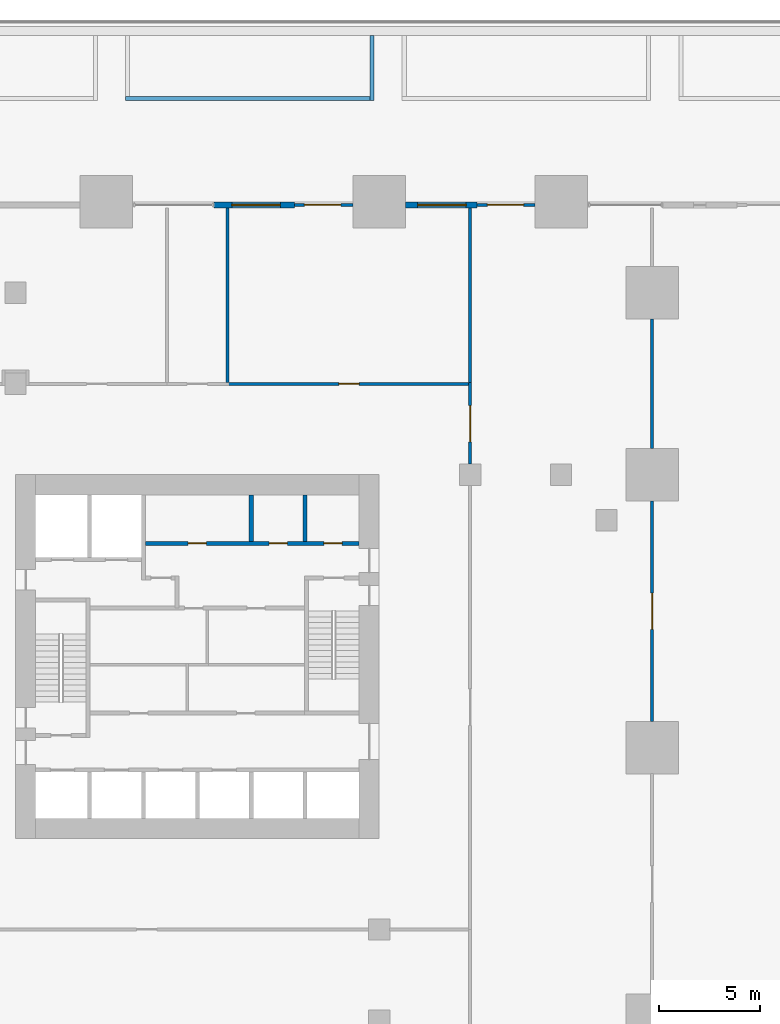
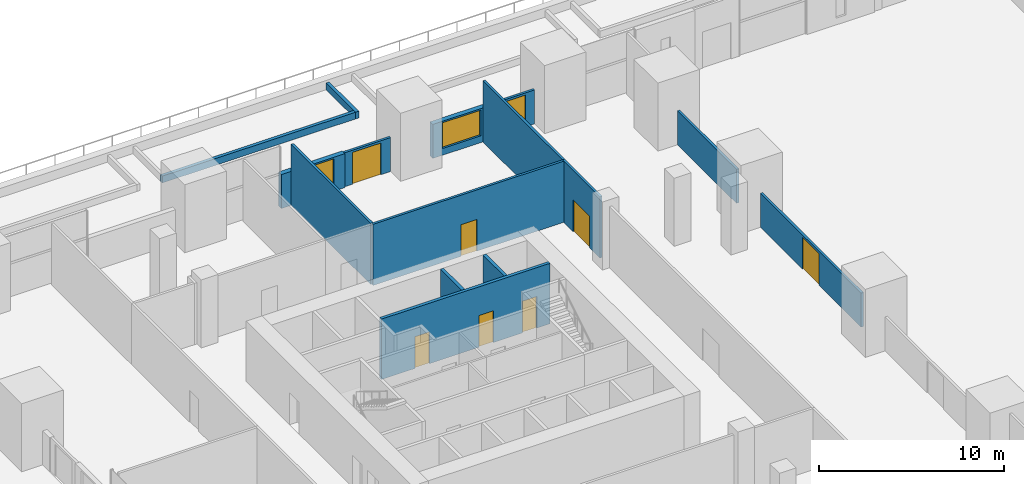
# One storey, part 18 of 26: 15 walls, 8 doors, 2 windows, 10 openings.
"""IFC4 building model written with IfcOpenShell, lengths in metres."""

import ifcopenshell
import ifcopenshell.guid

model = None  # the IFC model being written
_history = None  # IfcOwnerHistory: only IFC2X3 demands one
_inside = {}  # id of a spatial element -> (the spatial element, [elements in it])
_under = {}  # id of a project, library or spatial element -> (it, [spatial elements below it])
_declared = {}  # id of a project -> (the project, [libraries it declares])
_typed = {}  # id of a type object -> (the type object, [elements of that type])
_made_of = {}  # id of a material, layer set ... -> (it, [elements and type objects made of it])


def new_model(schema):
    """Start an empty IFC model of exactly this schema.

    Asked for "IFC4X3", IfcOpenShell would pick the latest addendum, in which some entities
    have other attributes; the version numbers below select the first issue.
    IFC2X3 requires an IfcOwnerHistory on every rooted entity: one is made here for all.
    """
    global model, _history
    if schema == "IFC4X3":
        model = ifcopenshell.file(schema_version=(4, 3, 0, 0))
    else:
        model = ifcopenshell.file(schema=schema)
    _inside.clear()
    _under.clear()
    _declared.clear()
    _typed.clear()
    _made_of.clear()
    _history = None
    if model.schema == "IFC2X3":
        org = make("IfcOrganization", Name="unknown")
        user = make(
            "IfcPersonAndOrganization",
            ThePerson=make("IfcPerson", FamilyName="unknown"),
            TheOrganization=org,
        )
        app = make(
            "IfcApplication",
            ApplicationDeveloper=org,
            Version="unknown",
            ApplicationFullName="unknown",
            ApplicationIdentifier="unknown",
        )
        _history = make(
            "IfcOwnerHistory",
            OwningUser=user,
            OwningApplication=app,
            ChangeAction="ADDED",
            CreationDate=0,
        )
    return model


def make(cls, **values):
    """One entity of the class cls with the attributes given. An attribute that is None is left unset."""
    return model.create_entity(
        cls, **{name: value for name, value in values.items() if value is not None}
    )


def rooted(cls, **values):
    """An entity with a GlobalId (a new one), such as an element, a storey or a relation."""
    return make(cls, GlobalId=ifcopenshell.guid.new(), OwnerHistory=_history, **values)


def si_unit(unit_type, name, prefix=None):
    """IfcSIUnit, for example si_unit("LENGTHUNIT", "METRE", prefix="MILLI")."""
    return make("IfcSIUnit", UnitType=unit_type, Prefix=prefix, Name=name)


def assignment(units):
    """IfcUnitAssignment: the units of a project."""
    return None if units is None else make("IfcUnitAssignment", Units=units)


def point(xyz):
    """IfcCartesianPoint."""
    return None if xyz is None else make("IfcCartesianPoint", Coordinates=xyz)


def direction(xyz):
    """IfcDirection."""
    return None if xyz is None else make("IfcDirection", DirectionRatios=xyz)


def frame(location, z_axis=None, x_axis=None):
    """IfcAxis2Placement3D, a coordinate frame: its origin and axes. An axis left out is left unset."""
    return make(
        "IfcAxis2Placement3D",
        Location=point(location),
        Axis=direction(z_axis),
        RefDirection=direction(x_axis),
    )


def frame_2d(location, x_axis=None):
    """IfcAxis2Placement2D, a coordinate frame in the plane: its origin and x axis."""
    return make(
        "IfcAxis2Placement2D", Location=point(location), RefDirection=direction(x_axis)
    )


def origin():
    """The frame at (0, 0, 0) with its axes left unset."""
    return frame((0.0, 0.0, 0.0))


def place(relative_to, where):
    """IfcLocalPlacement: puts the frame where relative to a parent placement (None: the world)."""
    return make(
        "IfcLocalPlacement", PlacementRelTo=relative_to, RelativePlacement=where
    )


def context(
    kind, dimensions, precision=None, world=None, true_north=None, identifier=None
):
    """IfcGeometricRepresentationContext, for example the 3D "Model" context."""
    return make(
        "IfcGeometricRepresentationContext",
        ContextIdentifier=identifier,
        ContextType=kind,
        CoordinateSpaceDimension=dimensions,
        Precision=precision,
        WorldCoordinateSystem=world,
        TrueNorth=true_north,
    )


def subcontext(parent, identifier, kind, view, scale=None):
    """IfcGeometricRepresentationSubContext, for example "Body" below "Model"."""
    return make(
        "IfcGeometricRepresentationSubContext",
        ContextIdentifier=identifier,
        ContextType=kind,
        ParentContext=parent,
        TargetScale=scale,
        TargetView=view,
    )


def project(units=None, contexts=None):
    """IfcProject with its units and contexts."""
    return rooted(
        "IfcProject",
        Name="project",
        RepresentationContexts=contexts,
        UnitsInContext=assignment(units),
    )


def spatial(cls, under=None, at=None, **own):
    """A site, building, storey or space (cls), placed at a placement, below another one or the project."""
    s = rooted(cls, ObjectPlacement=at, **own)
    if under is not None:
        _under.setdefault(under.id(), (under, []))[1].append(s)
    return s


def profile(cls, at=None, kind="AREA", **sizes):
    """A parametric profile (cls). Its sizes go by their IFC names, for example OverallWidth=200.0."""
    return make(cls, ProfileType=kind, Position=at, **sizes)


def rectangle(**sizes):
    """IfcRectangleProfileDef."""
    return profile("IfcRectangleProfileDef", **sizes)


def extrude(swept, where, along, depth):
    """IfcExtrudedAreaSolid: the profile swept, set in the frame where, extruded along a direction by depth."""
    return make(
        "IfcExtrudedAreaSolid",
        SweptArea=swept,
        Position=where,
        ExtrudedDirection=direction(along),
        Depth=depth,
    )


def shape(context_of_items, identifier, shape_type, items):
    """IfcShapeRepresentation: the items that make up one representation, for example the "Body"."""
    return make(
        "IfcShapeRepresentation",
        ContextOfItems=context_of_items,
        RepresentationIdentifier=identifier,
        RepresentationType=shape_type,
        Items=items,
    )


def material(Name=None, Category=None):
    """IfcMaterial."""
    return make("IfcMaterial", Name=Name, Category=Category)


def layer(
    of_material, thickness, ventilated=None, Name=None, Category=None, Priority=None
):
    """IfcMaterialLayer: one layer of a wall or slab, of a material (None: an air gap)."""
    return make(
        "IfcMaterialLayer",
        Material=of_material,
        LayerThickness=thickness,
        IsVentilated=ventilated,
        Name=Name,
        Category=Category,
        Priority=Priority,
    )


def layer_set(layers, Name=None):
    """IfcMaterialLayerSet."""
    return make("IfcMaterialLayerSet", MaterialLayers=layers, LayerSetName=Name)


def made_of(thing, what):
    """Note that an element or type object is made of a material, layer set ...; save() writes the relation."""
    if what is not None:
        _made_of.setdefault(what.id(), (what, []))[1].append(thing)
    return thing


def type_object(cls, material=None, **own):
    """A type object (cls), such as IfcWallType, which elements share."""
    return made_of(rooted(cls, **own), material)


def element(
    cls,
    number,
    at=None,
    inside=None,
    cuts=None,
    type_object=None,
    material=None,
    context=None,
    identifier="Body",
    shape_type=None,
    held_by="IfcProductDefinitionShape",
    body=None,
    shapes=None,
    **own,
):
    """One element of the class cls, such as IfcWall. Its Tag is "e" and its number.

    at: its placement. inside: the storey or other place that contains it. cuts: it is an
    opening in that element (IfcRelVoidsElement). A single representation is given by context,
    identifier, shape_type and body (its items); several are given by shapes. held_by: the class
    of the entity that holds the representations. save() writes the other relations.
    """
    e = rooted(cls, Tag="e%d" % number, ObjectPlacement=at, **own)
    if body is not None:
        shapes = [shape(context, identifier, shape_type, body)]
    if shapes is not None:
        e.Representation = make(held_by, Representations=shapes)
    if inside is not None:
        _inside.setdefault(inside.id(), (inside, []))[1].append(e)
    if cuts is not None:
        rooted(
            "IfcRelVoidsElement", RelatingBuildingElement=cuts, RelatedOpeningElement=e
        )
    if type_object is not None:
        _typed.setdefault(type_object.id(), (type_object, []))[1].append(e)
    return made_of(e, material)


def fill(opening, filler):
    """IfcRelFillsElement: the door or window that sits in an opening."""
    return rooted(
        "IfcRelFillsElement",
        RelatingOpeningElement=opening,
        RelatedBuildingElement=filler,
    )


def aggregate(whole, parts):
    """IfcRelAggregates: a whole, such as a stair, and the parts it consists of."""
    return rooted("IfcRelAggregates", RelatingObject=whole, RelatedObjects=parts)


def save(model, path):
    """Write the relations noted so far, then the file.

    IfcRelAggregates (storeys below a building ...), IfcRelContainedInSpatialStructure (elements
    in a storey), IfcRelDefinesByType, IfcRelAssociatesMaterial and IfcRelDeclares: one each for
    every whole, place, type object, material and project.
    """
    for whole, parts in _under.values():
        aggregate(whole, parts)
    for where, things in _inside.values():
        rooted(
            "IfcRelContainedInSpatialStructure",
            RelatedElements=things,
            RelatingStructure=where,
        )
    for kind, things in _typed.values():
        rooted("IfcRelDefinesByType", RelatedObjects=things, RelatingType=kind)
    for what, things in _made_of.values():
        rooted("IfcRelAssociatesMaterial", RelatedObjects=things, RelatingMaterial=what)
    for by, libraries in _declared.values():
        rooted("IfcRelDeclares", RelatingContext=by, RelatedDefinitions=libraries)
    model.write(path)


model = new_model("IFC4")

# Units and contexts
model_context = context("Model", 3, precision=1e-05, world=origin(), true_north=direction((0.0, 1.0)))
body_context = subcontext(model_context, "Body", "Model", "MODEL_VIEW")
ifc_project = project(units=[si_unit("LENGTHUNIT", "METRE"), si_unit("AREAUNIT", "SQUARE_METRE"), si_unit("VOLUMEUNIT", "CUBIC_METRE"), si_unit("PLANEANGLEUNIT", "RADIAN"), si_unit("MASSUNIT", "GRAM", prefix="KILO")], contexts=[model_context])

# Site, building, storey
site_placement = place(None, origin())
site = spatial("IfcSite", under=ifc_project, at=site_placement, CompositionType="ELEMENT")
building_placement = place(site_placement, origin())
building = spatial("IfcBuilding", under=site, at=building_placement, Name="Altepetl Exchange Towers", CompositionType="ELEMENT")
storey_placement = place(building_placement, frame((0.0, 0.0, 16.5)))
storey = spatial("IfcBuildingStorey", under=building, at=storey_placement, Name="L03 Podium terrace", CompositionType="ELEMENT", Elevation=16.5)

# Wall, opening, door
ifc_material_1 = material(Name="Aluminium composite cladding", Category="aluminium")
ifc_layer_1 = layer(ifc_material_1, 0.14990234375)
ifc_layer_set_1 = layer_set([ifc_layer_1], Name="Aluminium composite cladding")
wall_type_1 = type_object("IfcWallType", Name="Infill wall 150 aluminium panel", PredefinedType="SOLIDWALL", material=ifc_layer_set_1)
wall_1_placement = place(storey_placement, frame((66.199951171875, 71.85009765625, 0.0), z_axis=(0.0, 0.0, 1.0), x_axis=(-1.0, 0.0, 0.0)))
wall_1 = element("IfcWall", 1, at=wall_1_placement, inside=storey, type_object=wall_type_1, Name="Door bay wall", PredefinedType="SOLIDWALL", context=body_context, shape_type="SweptSolid", body=[
    extrude(rectangle(XDim=2.849853515625, YDim=0.14990234375, at=frame_2d((1.4248046875, 0.0))), origin(), (0.0, 0.0, 1.0), 2.25),
])
opening_1_placement = place(wall_1_placement, frame((0.550048828125, 0.0, 0.0)))
opening_1 = element("IfcOpeningElement", 2, at=opening_1_placement, cuts=wall_1, Name="Opening L03.E03", PredefinedType="OPENING", context=body_context, shape_type="SweptSolid", body=[
    extrude(rectangle(XDim=1.800048828125, YDim=2.10009765625, at=frame_2d((0.89990234375, 1.050048828125))), frame((0.0, 0.0849609375, 0.0), z_axis=(0.0, -1.0, 0.0), x_axis=(1.0, 0.0, 0.0)), (0.0, 0.0, 1.0), 0.169921875),
])
ifc_material_2 = material(Name="Aluminium 6063-T6 and glass", Category="aluminium")
door_type_1 = type_object("IfcDoorType", Name="Glazed door pair 1800x2100", OperationType="DOUBLE_DOOR_DOUBLE_SWING", PredefinedType="NOTDEFINED", material=ifc_material_2)
door_1_placement = place(opening_1_placement, frame((1.800048828125, 0.0, 0.0), x_axis=(-1.0, 0.0, 0.0)))
door_1 = element("IfcDoor", 3, at=door_1_placement, inside=storey, type_object=door_type_1, Name="Terrace door", OperationType="DOUBLE_DOOR_DOUBLE_SWING", OverallHeight=2.10009765625, OverallWidth=1.800048828125, PredefinedType="NOTDEFINED", context=body_context, shape_type="SweptSolid", body=[
    extrude(rectangle(XDim=1.800048828125, YDim=2.10009765625, at=frame_2d((0.89990234375, 1.050048828125))), frame((0.0, 0.02490234375, 0.0), z_axis=(0.0, -1.0, 0.0), x_axis=(1.0, 0.0, 0.0)), (0.0, 0.0, 1.0), 0.050048828125),
])
fill(opening_1, door_1)

wall_2_placement = place(storey_placement, frame((57.199951171875, 71.85009765625, 0.0), z_axis=(0.0, 0.0, 1.0), x_axis=(-1.0, 0.0, 0.0)))
wall_2 = element("IfcWall", 4, at=wall_2_placement, inside=storey, type_object=wall_type_1, Name="Door bay wall", PredefinedType="SOLIDWALL", context=body_context, shape_type="SweptSolid", body=[
    extrude(rectangle(XDim=2.89990234375, YDim=0.14990234375, at=frame_2d((1.449951171875, 0.0))), origin(), (0.0, 0.0, 1.0), 2.25),
])
opening_2_placement = place(wall_2_placement, frame((0.60009765625, 0.0, 0.0)))
opening_2 = element("IfcOpeningElement", 5, at=opening_2_placement, cuts=wall_2, Name="Opening L03.E10", PredefinedType="OPENING", context=body_context, shape_type="SweptSolid", body=[
    extrude(rectangle(XDim=1.800048828125, YDim=2.10009765625, at=frame_2d((0.89990234375, 1.050048828125))), frame((0.0, 0.0849609375, 0.0), z_axis=(0.0, -1.0, 0.0), x_axis=(1.0, 0.0, 0.0)), (0.0, 0.0, 1.0), 0.169921875),
])
door_2_placement = place(opening_2_placement, frame((1.800048828125, 0.0, 0.0), x_axis=(-1.0, 0.0, 0.0)))
door_2 = element("IfcDoor", 6, at=door_2_placement, inside=storey, type_object=door_type_1, Name="Terrace door", OperationType="DOUBLE_DOOR_DOUBLE_SWING", OverallHeight=2.10009765625, OverallWidth=1.800048828125, PredefinedType="NOTDEFINED", context=body_context, shape_type="SweptSolid", body=[
    extrude(rectangle(XDim=1.800048828125, YDim=2.10009765625, at=frame_2d((0.89990234375, 1.050048828125))), frame((0.0, 0.02490234375, 0.0), z_axis=(0.0, -1.0, 0.0), x_axis=(1.0, 0.0, 0.0)), (0.0, 0.0, 1.0), 0.050048828125),
])
fill(opening_2, door_2)

# Walls
ifc_material_3 = material(Name="Reinforced concrete C35/45", Category="concrete")
ifc_layer_2 = layer(ifc_material_3, 0.199951171875)
ifc_layer_set_2 = layer_set([ifc_layer_2], Name="Reinforced concrete C35/45")
wall_type_2 = type_object("IfcWallType", Name="Planting bed curb 200", PredefinedType="SOLIDWALL", material=ifc_layer_set_2)
wall_3_placement = place(storey_placement, frame((58.137451171875, 77.02490234375, 0.0), z_axis=(0.0, 0.0, 1.0), x_axis=(0.0, 1.0, 0.0)))
element("IfcWall", 7, at=wall_3_placement, inside=storey, type_object=wall_type_2, Name="wall:P:L03:CB15e", PredefinedType="SOLIDWALL", context=body_context, shape_type="SweptSolid", body=[
    extrude(rectangle(XDim=3.2001953125, YDim=0.199951171875, at=frame_2d((1.60009765625, 0.0))), origin(), (0.0, 0.0, 1.0), 0.449951171875),
])
wall_4_placement = place(storey_placement, frame((45.949951171875, 77.125, 0.0)))
element("IfcWall", 8, at=wall_4_placement, inside=storey, type_object=wall_type_2, Name="wall:P:L03:CB15s", PredefinedType="SOLIDWALL", context=body_context, shape_type="SweptSolid", body=[
    extrude(rectangle(XDim=12.087646484375, YDim=0.199951171875, at=frame_2d((6.0439453125, 0.0))), origin(), (0.0, 0.0, 1.0), 0.449951171875),
])

# Wall, opening, door
ifc_material_4 = material(Name="Gypsum board on steel studs", Category="steel")
ifc_layer_3 = layer(ifc_material_4, 0.14990234375)
ifc_layer_set_3 = layer_set([ifc_layer_3], Name="Gypsum board on steel studs")
wall_type_3 = type_object("IfcWallType", Name="Podium partition 150", PredefinedType="PARTITIONING", material=ifc_layer_set_3)
wall_5_placement = place(storey_placement, frame((72.0, 46.294921875, 0.0), z_axis=(0.0, 0.0, 1.0), x_axis=(0.0, 1.0, 0.0)))
wall_5 = element("IfcWall", 9, at=wall_5_placement, inside=storey, type_object=wall_type_3, Name="wall:P:L03:P003", PredefinedType="PARTITIONING", context=body_context, shape_type="SweptSolid", body=[
    extrude(rectangle(XDim=10.91015625, YDim=0.14990234375, at=frame_2d((5.455078125, 0.0))), origin(), (0.0, 0.0, 1.0), 2.25),
])
opening_3_placement = place(wall_5_placement, frame((4.550048828125, 0.0, 0.0)))
opening_3 = element("IfcOpeningElement", 10, at=opening_3_placement, cuts=wall_5, Name="Opening L03.P013", PredefinedType="OPENING", context=body_context, shape_type="SweptSolid", body=[
    extrude(rectangle(XDim=1.800048828125, YDim=2.10009765625, at=frame_2d((0.89990234375, 1.050048828125))), frame((0.0, 0.0849609375, 0.0), z_axis=(0.0, -1.0, 0.0), x_axis=(1.0, 0.0, 0.0)), (0.0, 0.0, 1.0), 0.169921875),
])
ifc_material_5 = material(Name="Glazed aluminium and steel", Category="steel")
door_type_2 = type_object("IfcDoorType", Name="Podium fire door 1800 x 2100 double leaf", OperationType="DOUBLE_DOOR_SINGLE_SWING", PredefinedType="DOOR", material=ifc_material_5)
door_3_placement = place(opening_3_placement, origin())
door_3 = element("IfcDoor", 11, at=door_3_placement, inside=storey, type_object=door_type_2, Name="door:P:L03:013", OperationType="DOUBLE_DOOR_SINGLE_SWING", OverallHeight=2.10009765625, OverallWidth=1.800048828125, PredefinedType="DOOR", context=body_context, shape_type="SweptSolid", body=[
    extrude(rectangle(XDim=1.800048828125, YDim=2.10009765625, at=frame_2d((0.89990234375, 1.050048828125))), frame((0.0, 0.02490234375, 0.0), z_axis=(0.0, -1.0, 0.0), x_axis=(1.0, 0.0, 0.0)), (0.0, 0.0, 1.0), 0.050048828125),
])
fill(opening_3, door_3)

# Wall
wall_6_placement = place(storey_placement, frame((72.0, 59.794921875, 0.0), z_axis=(0.0, 0.0, 1.0), x_axis=(0.0, 1.0, 0.0)))
element("IfcWall", 12, at=wall_6_placement, inside=storey, type_object=wall_type_3, Name="wall:P:L03:P004", PredefinedType="PARTITIONING", context=body_context, shape_type="SweptSolid", body=[
    extrude(rectangle(XDim=6.41015625, YDim=0.14990234375, at=frame_2d((3.205078125, 0.0))), origin(), (0.0, 0.0, 1.0), 2.25),
])

# Wall, opening, door
wall_7_placement = place(storey_placement, frame((63.0, 59.02001953125, 0.0), z_axis=(0.0, 0.0, 1.0), x_axis=(0.0, 1.0, 0.0)))
wall_7 = element("IfcWall", 13, at=wall_7_placement, inside=storey, type_object=wall_type_3, Name="wall:P:L03:P013", PredefinedType="PARTITIONING", context=body_context, shape_type="SweptSolid", body=[
    extrude(rectangle(XDim=4.054931640625, YDim=0.14990234375, at=frame_2d((2.02734375, 0.0))), origin(), (0.0, 0.0, 1.0), 4.050048828125),
])
opening_4_placement = place(wall_7_placement, frame((1.10009765625, 0.0, 0.0)))
opening_4 = element("IfcOpeningElement", 14, at=opening_4_placement, cuts=wall_7, Name="Opening L03.P018", PredefinedType="OPENING", context=body_context, shape_type="SweptSolid", body=[
    extrude(rectangle(XDim=1.800048828125, YDim=2.10009765625, at=frame_2d((0.89990234375, 1.050048828125))), frame((0.0, 0.0849609375, 0.0), z_axis=(0.0, -1.0, 0.0), x_axis=(1.0, 0.0, 0.0)), (0.0, 0.0, 1.0), 0.169921875),
])
door_4_placement = place(opening_4_placement, frame((1.800048828125, 0.0, 0.0), x_axis=(-1.0, 0.0, 0.0)))
door_4 = element("IfcDoor", 15, at=door_4_placement, inside=storey, type_object=door_type_2, Name="door:P:L03:018", OperationType="DOUBLE_DOOR_SINGLE_SWING", OverallHeight=2.10009765625, OverallWidth=1.800048828125, PredefinedType="DOOR", context=body_context, shape_type="SweptSolid", body=[
    extrude(rectangle(XDim=1.800048828125, YDim=2.10009765625, at=frame_2d((0.89990234375, 1.050048828125))), frame((0.0, 0.02490234375, 0.0), z_axis=(0.0, -1.0, 0.0), x_axis=(1.0, 0.0, 0.0)), (0.0, 0.0, 1.0), 0.050048828125),
])
fill(opening_4, door_4)

# Wall
wall_8_placement = place(storey_placement, frame((63.0, 63.0, 0.0), z_axis=(0.0, 0.0, 1.0), x_axis=(0.0, 1.0, 0.0)))
element("IfcWall", 16, at=wall_8_placement, inside=storey, type_object=wall_type_3, Name="wall:P:L03:P015", PredefinedType="PARTITIONING", context=body_context, shape_type="SweptSolid", body=[
    extrude(rectangle(XDim=8.699951171875, YDim=0.14990234375, at=frame_2d((4.35009765625, 0.0))), origin(), (0.0, 0.0, 1.0), 4.050048828125),
])

# Wall, opening, door
wall_9_placement = place(storey_placement, frame((51.0, 63.0, 0.0)))
wall_9 = element("IfcWall", 17, at=wall_9_placement, inside=storey, type_object=wall_type_3, Name="wall:P:L03:P027", PredefinedType="PARTITIONING", context=body_context, shape_type="SweptSolid", body=[
    extrude(rectangle(XDim=11.925048828125, YDim=0.14990234375, at=frame_2d((5.96240234375, 0.0))), origin(), (0.0, 0.0, 1.0), 4.050048828125),
])
opening_5_placement = place(wall_9_placement, frame((5.5, 0.0, 0.0)))
opening_5 = element("IfcOpeningElement", 18, at=opening_5_placement, cuts=wall_9, Name="Opening L03.P006", PredefinedType="OPENING", context=body_context, shape_type="SweptSolid", body=[
    extrude(rectangle(XDim=1.0, YDim=2.10009765625, at=frame_2d((0.5, 1.050048828125))), frame((0.0, 0.0849609375, 0.0), z_axis=(0.0, -1.0, 0.0), x_axis=(1.0, 0.0, 0.0)), (0.0, 0.0, 1.0), 0.169921875),
])
ifc_material_6 = material(Name="Steel and timber fire door", Category="steel")
door_type_3 = type_object("IfcDoorType", Name="Podium fire door 1000 x 2100 single leaf", OperationType="SINGLE_SWING_LEFT", PredefinedType="DOOR", material=ifc_material_6)
door_5_placement = place(opening_5_placement, origin())
door_5 = element("IfcDoor", 19, at=door_5_placement, inside=storey, type_object=door_type_3, Name="door:P:L03:006", OperationType="SINGLE_SWING_LEFT", OverallHeight=2.10009765625, OverallWidth=1.0, PredefinedType="DOOR", context=body_context, shape_type="SweptSolid", body=[
    extrude(rectangle(XDim=1.0, YDim=2.10009765625, at=frame_2d((0.5, 1.050048828125))), frame((0.0, 0.02490234375, 0.0), z_axis=(0.0, -1.0, 0.0), x_axis=(1.0, 0.0, 0.0)), (0.0, 0.0, 1.0), 0.050048828125),
])
fill(opening_5, door_5)

# Walls
wall_10_placement = place(storey_placement, frame((51.0, 63.074951171875, 0.0), z_axis=(0.0, 0.0, 1.0), x_axis=(0.0, 1.0, 0.0)))
element("IfcWall", 20, at=wall_10_placement, inside=storey, type_object=wall_type_3, Name="wall:P:L03:P032", PredefinedType="PARTITIONING", context=body_context, shape_type="SweptSolid", body=[
    extrude(rectangle(XDim=8.625, YDim=0.14990234375, at=frame_2d((4.3125, 0.0))), origin(), (0.0, 0.0, 1.0), 4.050048828125),
])
ifc_material_7 = material(Name="Concrete C40/50", Category="concrete")
ifc_layer_4 = layer(ifc_material_7, 0.199951171875)
ifc_layer_set_4 = layer_set([ifc_layer_4], Name="Concrete C40/50")
wall_type_4 = type_object("IfcWallType", Name="Shaft wall 200 reinforced concrete", PredefinedType="SHEAR", material=ifc_layer_set_4)
for number, where, z_axis, x_axis, name in (
    (21, (52.166748046875, 57.5, 0.0), (0.0, 0.0, 1.0), (0.0, -1.0, 0.0), "wall:A:L03:K-divN4"),
    (22, (54.833251953125, 57.5, 0.0), (0.0, 0.0, 1.0), (0.0, -1.0, 0.0), "wall:A:L03:K-divN5"),
):
    element("IfcWall", number, at=place(storey_placement, frame(where, z_axis=z_axis, x_axis=x_axis)), inside=storey, type_object=wall_type_4, Name=name, PredefinedType="SHEAR", context=body_context, shape_type="SweptSolid", body=[
        extrude(rectangle(XDim=2.300048828125, YDim=0.199951171875, at=frame_2d((1.14990234375, 0.0))), origin(), (0.0, 0.0, 1.0), 4.0),
    ])

# Wall, openings, doors
wall_11_placement = place(storey_placement, frame((46.933349609375, 55.10009765625, 0.0)))
wall_11 = element("IfcWall", 23, at=wall_11_placement, inside=storey, type_object=wall_type_4, Name="wall:A:L03:K-frontNb", PredefinedType="SHEAR", context=body_context, shape_type="SweptSolid", body=[
    extrude(rectangle(XDim=10.566650390625, YDim=0.199951171875, at=frame_2d((5.283203125, 0.0))), origin(), (0.0, 0.0, 1.0), 4.0),
])
opening_6_placement = place(wall_11_placement, frame((8.83349609375, 0.0, 0.0)))
opening_6 = element("IfcOpeningElement", 24, at=opening_6_placement, cuts=wall_11, Name="Opening L03.A69", PredefinedType="OPENING", context=body_context, shape_type="SweptSolid", body=[
    extrude(rectangle(XDim=0.89990234375, YDim=2.10009765625, at=frame_2d((0.449951171875, 1.050048828125))), frame((0.0, 0.10986328125, 0.0), z_axis=(0.0, -1.0, 0.0), x_axis=(1.0, 0.0, 0.0)), (0.0, 0.0, 1.0), 0.219970703125),
])
opening_7_placement = place(wall_11_placement, frame((2.11669921875, 0.0, 0.0)))
opening_7 = element("IfcOpeningElement", 25, at=opening_7_placement, cuts=wall_11, Name="Opening L03.A70", PredefinedType="OPENING", context=body_context, shape_type="SweptSolid", body=[
    extrude(rectangle(XDim=0.89990234375, YDim=2.10009765625, at=frame_2d((0.449951171875, 1.050048828125))), frame((0.0, 0.10986328125, 0.0), z_axis=(0.0, -1.0, 0.0), x_axis=(1.0, 0.0, 0.0)), (0.0, 0.0, 1.0), 0.219970703125),
])
opening_8_placement = place(wall_11_placement, frame((6.11669921875, 0.0, 0.0)))
opening_8 = element("IfcOpeningElement", 26, at=opening_8_placement, cuts=wall_11, Name="Opening L03.A71", PredefinedType="OPENING", context=body_context, shape_type="SweptSolid", body=[
    extrude(rectangle(XDim=0.89990234375, YDim=2.10009765625, at=frame_2d((0.449951171875, 1.050048828125))), frame((0.0, 0.10986328125, 0.0), z_axis=(0.0, -1.0, 0.0), x_axis=(1.0, 0.0, 0.0)), (0.0, 0.0, 1.0), 0.219970703125),
])
door_type_4 = type_object("IfcDoorType", Name="Fire door 900 x 2100 service room", OperationType="SINGLE_SWING_LEFT", PredefinedType="DOOR", material=ifc_material_6)
door_6_placement = place(opening_6_placement, origin())
door_6 = element("IfcDoor", 27, at=door_6_placement, inside=storey, type_object=door_type_4, Name="door:A:L03:K-driser", OperationType="SINGLE_SWING_RIGHT", OverallHeight=2.10009765625, OverallWidth=0.89990234375, PredefinedType="DOOR", context=body_context, shape_type="SweptSolid", body=[
    extrude(rectangle(XDim=0.89990234375, YDim=2.10009765625, at=frame_2d((0.449951171875, 1.050048828125))), frame((0.0, 0.02490234375, 0.0), z_axis=(0.0, -1.0, 0.0), x_axis=(1.0, 0.0, 0.0)), (0.0, 0.0, 1.0), 0.050048828125),
])
fill(opening_6, door_6)
door_7_placement = place(opening_7_placement, origin())
door_7 = element("IfcDoor", 28, at=door_7_placement, inside=storey, type_object=door_type_4, Name="door:A:L03:K-dslotN2", OperationType="SINGLE_SWING_RIGHT", OverallHeight=2.10009765625, OverallWidth=0.89990234375, PredefinedType="DOOR", context=body_context, shape_type="SweptSolid", body=[
    extrude(rectangle(XDim=0.89990234375, YDim=2.10009765625, at=frame_2d((0.449951171875, 1.050048828125))), frame((0.0, 0.02490234375, 0.0), z_axis=(0.0, -1.0, 0.0), x_axis=(1.0, 0.0, 0.0)), (0.0, 0.0, 1.0), 0.050048828125),
])
fill(opening_7, door_7)
door_8_placement = place(opening_8_placement, origin())
door_8 = element("IfcDoor", 29, at=door_8_placement, inside=storey, type_object=door_type_4, Name="door:A:L03:K-dslotN4", OperationType="SINGLE_SWING_RIGHT", OverallHeight=2.10009765625, OverallWidth=0.89990234375, PredefinedType="DOOR", context=body_context, shape_type="SweptSolid", body=[
    extrude(rectangle(XDim=0.89990234375, YDim=2.10009765625, at=frame_2d((0.449951171875, 1.050048828125))), frame((0.0, 0.02490234375, 0.0), z_axis=(0.0, -1.0, 0.0), x_axis=(1.0, 0.0, 0.0)), (0.0, 0.0, 1.0), 0.050048828125),
])
fill(opening_8, door_8)

# Wall, opening, window
ifc_material_8 = material(Name="Cantera limestone cladding", Category="masonry")
ifc_layer_5 = layer(ifc_material_8, 0.300048828125)
ifc_layer_set_5 = layer_set([ifc_layer_5], Name="Cantera limestone cladding")
wall_type_5 = type_object("IfcWallType", Name="Stone wall panel 300", PredefinedType="ELEMENTEDWALL", material=ifc_layer_set_5)
wall_12_placement = place(storey_placement, frame((63.35009765625, 71.85009765625, 0.0), z_axis=(0.0, 0.0, 1.0), x_axis=(-1.0, 0.0, 0.0)))
wall_12 = element("IfcWall", 30, at=wall_12_placement, inside=storey, type_object=wall_type_5, Name="Stone wall panel", PredefinedType="ELEMENTEDWALL", context=body_context, shape_type="SweptSolid", body=[
    extrude(rectangle(XDim=3.550048828125, YDim=0.300048828125, at=frame_2d((1.77490234375, 0.0))), origin(), (0.0, 0.0, 1.0), 2.25),
])
opening_9_placement = place(wall_12_placement, frame((0.550048828125, 0.0, 0.449951171875)))
opening_9 = element("IfcOpeningElement", 31, at=opening_9_placement, cuts=wall_12, Name="Opening W4", PredefinedType="OPENING", context=body_context, shape_type="SweptSolid", body=[
    extrude(rectangle(XDim=2.39990234375, YDim=1.699951171875, at=frame_2d((1.199951171875, 0.85009765625))), frame((0.0, 0.16015625, 0.0), z_axis=(0.0, -1.0, 0.0), x_axis=(1.0, 0.0, 0.0)), (0.0, 0.0, 1.0), 0.320068359375),
])
window_type = type_object("IfcWindowType", Name="Shopfront window 2400x1700", PartitioningType="SINGLE_PANEL", PredefinedType="WINDOW", material=ifc_material_2)
window_1_placement = place(opening_9_placement, origin())
window_1 = element("IfcWindow", 32, at=window_1_placement, inside=storey, type_object=window_type, Name="Window", OverallHeight=1.699951171875, OverallWidth=2.39990234375, PartitioningType="SINGLE_PANEL", PredefinedType="WINDOW", context=body_context, shape_type="SweptSolid", body=[
    extrude(rectangle(XDim=2.39990234375, YDim=1.699951171875, at=frame_2d((1.199951171875, 0.85009765625))), frame((0.0, 0.030029296875, 0.0), z_axis=(0.0, -1.0, 0.0), x_axis=(1.0, 0.0, 0.0)), (0.0, 0.0, 1.0), 0.06005859375),
])
fill(opening_9, window_1)

wall_13_placement = place(storey_placement, frame((54.300048828125, 71.85009765625, 0.0), z_axis=(0.0, 0.0, 1.0), x_axis=(-1.0, 0.0, 0.0)))
wall_13 = element("IfcWall", 33, at=wall_13_placement, inside=storey, type_object=wall_type_5, Name="Stone wall panel", PredefinedType="ELEMENTEDWALL", context=body_context, shape_type="SweptSolid", body=[
    extrude(rectangle(XDim=3.97509765625, YDim=0.300048828125, at=frame_2d((1.987548828125, 0.0))), origin(), (0.0, 0.0, 1.0), 2.25),
])
opening_10_placement = place(wall_13_placement, frame((0.6875, 0.0, 0.449951171875)))
opening_10 = element("IfcOpeningElement", 34, at=opening_10_placement, cuts=wall_13, Name="Opening W4", PredefinedType="OPENING", context=body_context, shape_type="SweptSolid", body=[
    extrude(rectangle(XDim=2.39990234375, YDim=1.699951171875, at=frame_2d((1.199951171875, 0.85009765625))), frame((0.0, 0.16015625, 0.0), z_axis=(0.0, -1.0, 0.0), x_axis=(1.0, 0.0, 0.0)), (0.0, 0.0, 1.0), 0.320068359375),
])
window_2_placement = place(opening_10_placement, origin())
window_2 = element("IfcWindow", 35, at=window_2_placement, inside=storey, type_object=window_type, Name="Window", OverallHeight=1.699951171875, OverallWidth=2.39990234375, PartitioningType="SINGLE_PANEL", PredefinedType="WINDOW", context=body_context, shape_type="SweptSolid", body=[
    extrude(rectangle(XDim=2.39990234375, YDim=1.699951171875, at=frame_2d((1.199951171875, 0.85009765625))), frame((0.0, 0.030029296875, 0.0), z_axis=(0.0, -1.0, 0.0), x_axis=(1.0, 0.0, 0.0)), (0.0, 0.0, 1.0), 0.06005859375),
])
fill(opening_10, window_2)

save(model, "model.ifc")
